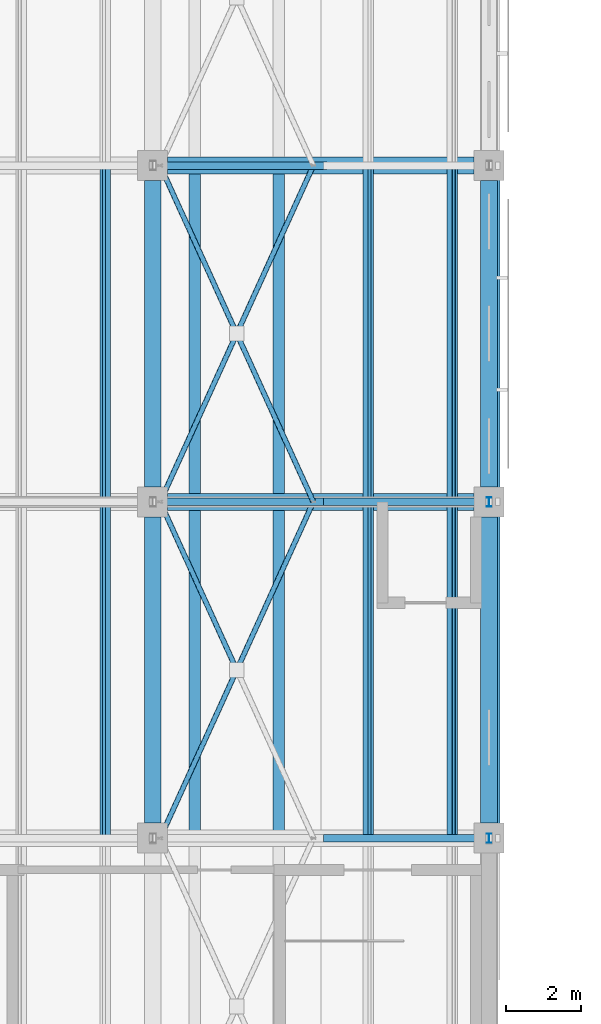
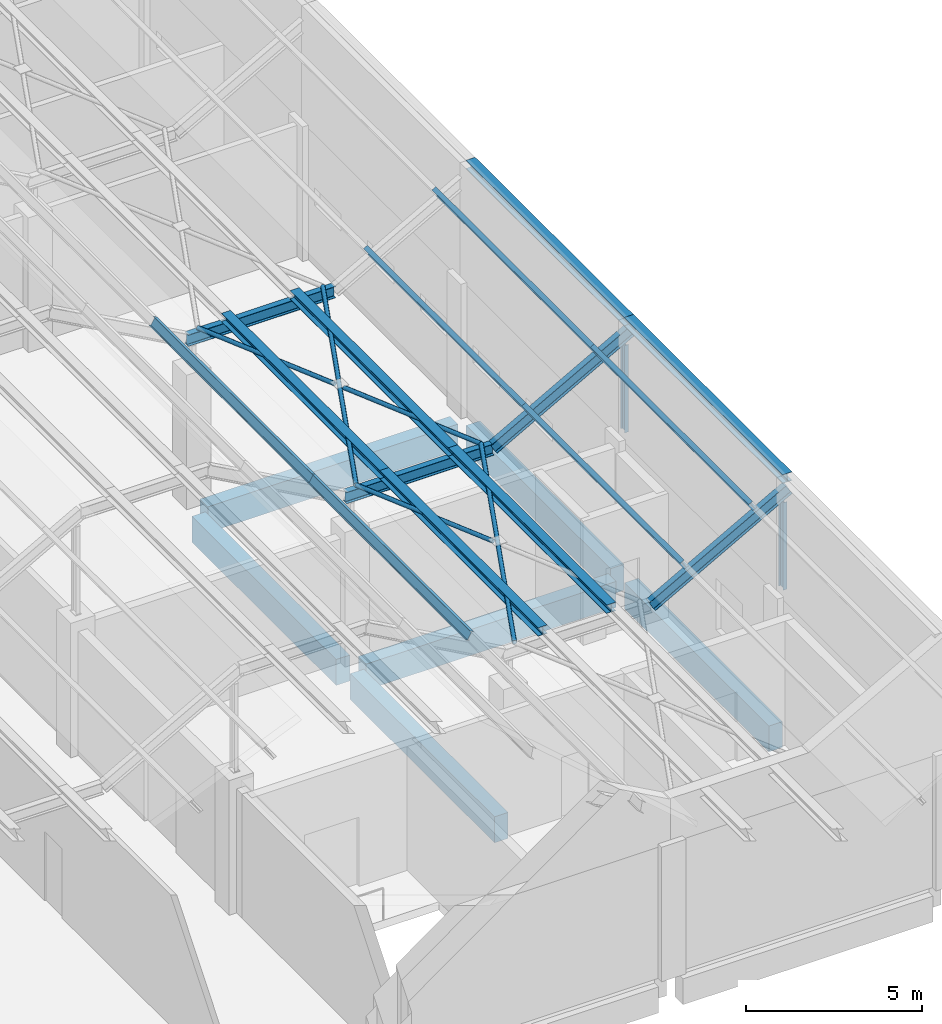
# One storey, part 42 of 437: 23 members, 6 beams.
"""IFC4 building model written with IfcOpenShell, lengths in metres."""

from ifc_helpers import new_model, si_unit, direction, frame, origin, origin_2d, place, context, subcontext, project, spatial, rectangle, hollow_circle, i_section, extrude, material, material_profile, profile_set, type_object, element, save


model = new_model("IFC4")

# Units and contexts
model_context = context("Model", 3, precision=1e-05, world=origin(), true_north=direction((0.0, 1.0)))
body_context = subcontext(model_context, "Body", "Model", "MODEL_VIEW")
ifc_project = project(units=[si_unit("LENGTHUNIT", "METRE"), si_unit("AREAUNIT", "SQUARE_METRE"), si_unit("VOLUMEUNIT", "CUBIC_METRE"), si_unit("PLANEANGLEUNIT", "RADIAN"), si_unit("MASSUNIT", "GRAM", prefix="KILO")], contexts=[model_context])

# Site, building, storey
site_placement = place(None, origin())
site = spatial("IfcSite", under=ifc_project, at=site_placement, CompositionType="ELEMENT")
building_placement = place(site_placement, origin())
building = spatial("IfcBuilding", under=site, at=building_placement, Name="Opaline Strait Convention Centre", CompositionType="ELEMENT")
storey_placement = place(building_placement, frame((0.0, 0.0, 11.5)))
storey = spatial("IfcBuildingStorey", under=building, at=storey_placement, Name="L02", CompositionType="ELEMENT", Elevation=11.5)

# Members
ifc_material_1 = material(Name="Steel Q355B", Category="steel")
ifc_material_profile_1 = material_profile(ifc_material_1, i_section(OverallWidth=0.300048828125, OverallDepth=0.300048828125, WebThickness=0.010009765625, FlangeThickness=0.014892578125, FilletRadius=0.012939453125, at=origin_2d()), Name="HW 300x300x10x15")
ifc_profile_set_1 = profile_set([ifc_material_profile_1], Name="Steel Q355B")
member_type_1 = type_object("IfcMemberType", Name="Crest purlin HW 300x300x10x15", PredefinedType="PURLIN", material=ifc_profile_set_1)
for number, where, z_axis, x_axis, name in (
    (1, (73.125, 18.0, 5.949951171875), (0.0, 1.0, 0.0), (-1.0, 0.0, 0.0), "RU1 purlin facet 15 line 1"),
    (2, (73.125, 27.0, 5.949951171875), (0.0, 1.0, 0.0), (-1.0, 0.0, 0.0), "RU1 purlin facet 15 line 1"),
    (3, (75.375, 18.0, 5.949951171875), (0.0, 1.0, 0.0), (-1.0, 0.0, 0.0), "RU1 purlin facet 15 line 2"),
    (4, (75.375, 27.0, 5.949951171875), (0.0, 1.0, 0.0), (-1.0, 0.0, 0.0), "RU1 purlin facet 15 line 2"),
    (5, (81.14990234375, 18.0, 8.449951171875), (0.0, 1.0, 0.0), (-1.0, 0.0, 0.0), "RU1 purlin facet 17 line 1"),
    (6, (81.14990234375, 27.0, 8.449951171875), (0.0, 1.0, 0.0), (-1.0, 0.0, 0.0), "RU1 purlin facet 17 line 1"),
):
    element("IfcMember", number, at=place(storey_placement, frame(where, z_axis=z_axis, x_axis=x_axis)), inside=storey, type_object=member_type_1, Name=name, PredefinedType="PURLIN", context=body_context, shape_type="SweptSolid", body=[
        extrude(i_section(OverallWidth=0.300048828125, OverallDepth=0.300048828125, WebThickness=0.010009765625, FlangeThickness=0.014892578125, FilletRadius=0.012939453125, at=origin_2d()), origin(), (0.0, 0.0, 1.0), 9.0),
    ])

# Beams
ifc_material_2 = material(Name="Concrete C35", Category="concrete")
ifc_material_profile_2 = material_profile(ifc_material_2, rectangle(XDim=0.449951171875, YDim=0.89990234375, at=origin_2d()), Name="RC 450x900")
ifc_profile_set_2 = profile_set([ifc_material_profile_2], Name="Concrete C35")
beam_type = type_object("IfcBeamType", Name="RC beam 450x900 C35", PredefinedType="BEAM", material=ifc_profile_set_2)
for number, where, z_axis, x_axis, name in (
    (7, (72.39990234375, 27.0, -0.72998046875), (1.0, 0.0, 0.0), (0.0, 1.0, 0.0), "XB1 L02 72/27-81/27"),
    (8, (72.39990234375, 36.0, -0.72998046875), (1.0, 0.0, 0.0), (0.0, 1.0, 0.0), "XB1 L02 72/36-81/36"),
    (9, (72.0, 18.39990234375, -0.72998046875), (0.0, 1.0, 0.0), (-1.0, 0.0, 0.0), "XB1 L02 72/18-72/27"),
    (10, (72.0, 27.39990234375, -0.72998046875), (0.0, 1.0, 0.0), (-1.0, 0.0, 0.0), "XB1 L02 72/27-72/36"),
    (11, (81.0, 18.39990234375, -0.72998046875), (0.0, 1.0, 0.0), (-1.0, 0.0, 0.0), "XB1 L02 81/18-81/27"),
    (12, (81.0, 27.39990234375, -0.72998046875), (0.0, 1.0, 0.0), (-1.0, 0.0, 0.0), "XB1 L02 81/27-81/36"),
):
    element("IfcBeam", number, at=place(storey_placement, frame(where, z_axis=z_axis, x_axis=x_axis)), inside=storey, type_object=beam_type, Name=name, PredefinedType="BEAM", context=body_context, shape_type="SweptSolid", body=[
        extrude(rectangle(XDim=0.449951171875, YDim=0.89990234375, at=origin_2d()), origin(), (0.0, 0.0, 1.0), 8.2001953125),
    ])

# Members
ifc_material_profile_3 = material_profile(ifc_material_1, hollow_circle(Radius=0.070068359375, WallThickness=0.0048828125, at=origin_2d()), Name="CHS 140x5")
ifc_profile_set_3 = profile_set([ifc_material_profile_3], Name="Steel Q355B")
member_type_2 = type_object("IfcMemberType", Name="Roof bracing CHS 140x5", PredefinedType="BRACE", material=ifc_profile_set_3)
member_1_placement = place(storey_placement, frame((72.199951171875, 18.0, 5.8701171875), z_axis=(0.414572789354, 0.910016154981, 0.0), x_axis=(-0.910016154981, 0.414572789354, 0.0)))
element("IfcMember", 13, at=member_1_placement, inside=storey, type_object=member_type_2, Name="RX1 roof brace bay 2 at 72", PredefinedType="BRACE", context=body_context, shape_type="SweptSolid", body=[
    extrude(hollow_circle(Radius=0.070068359375, WallThickness=0.0048828125, at=origin_2d()), origin(), (0.0, 0.0, 1.0), 9.889892578125),
])
member_2_placement = place(storey_placement, frame((74.185546875, 22.6416015625, 5.8701171875), z_axis=(-0.41458243593, 0.910011760264, 0.0), x_axis=(-0.910011760264, -0.41458243593, 0.0)))
element("IfcMember", 14, at=member_2_placement, inside=storey, type_object=member_type_2, Name="RX1 roof brace bay 2 at 72", PredefinedType="BRACE", context=body_context, shape_type="SweptSolid", body=[
    extrude(hollow_circle(Radius=0.070068359375, WallThickness=0.0048828125, at=origin_2d()), origin(), (0.0, 0.0, 1.0), 4.789306640625),
])
member_3_placement = place(storey_placement, frame((72.199951171875, 27.0, 5.8701171875), z_axis=(0.414572789354, 0.910016154981, 0.0), x_axis=(-0.910016154981, 0.414572789354, 0.0)))
element("IfcMember", 15, at=member_3_placement, inside=storey, type_object=member_type_2, Name="RX1 roof brace bay 3 at 72", PredefinedType="BRACE", context=body_context, shape_type="SweptSolid", body=[
    extrude(hollow_circle(Radius=0.070068359375, WallThickness=0.0048828125, at=origin_2d()), origin(), (0.0, 0.0, 1.0), 9.889892578125),
])
for number, where, z_axis, x_axis, name in (
    (16, (76.300048828125, 27.0, 5.8701171875), (-0.41458243593, 0.910011760264, 0.0), (-0.910011760264, -0.41458243593, 0.0), "RX1 roof brace bay 3 at 72"),
    (17, (74.185546875, 31.6416015625, 5.8701171875), (-0.41458243593, 0.910011760264, 0.0), (-0.910011760264, -0.41458243593, 0.0), "RX1 roof brace bay 3 at 72"),
):
    element("IfcMember", number, at=place(storey_placement, frame(where, z_axis=z_axis, x_axis=x_axis)), inside=storey, type_object=member_type_2, Name=name, PredefinedType="BRACE", context=body_context, shape_type="SweptSolid", body=[
        extrude(hollow_circle(Radius=0.070068359375, WallThickness=0.0048828125, at=origin_2d()), origin(), (0.0, 0.0, 1.0), 4.789306640625),
    ])
ifc_material_profile_4 = material_profile(ifc_material_1, i_section(OverallWidth=0.125, OverallDepth=0.25, WebThickness=0.006103515625, FlangeThickness=0.009033203125, FilletRadius=0.008056640625, at=origin_2d()), Name="HN 250x125x6x9")
ifc_profile_set_4 = profile_set([ifc_material_profile_4], Name="Steel Q355B")
member_type_3 = type_object("IfcMemberType", Name="Roof post HN 250x125x6x9", PredefinedType="STRUT", material=ifc_profile_set_4)
for number, where, z_axis, x_axis, name in (
    (18, (81.0, 18.0, 4.68994140625), (0.0, 0.0, 1.0), (1.0, 0.0, 0.0), "RP1 roof post at 81/18"),
    (19, (81.0, 27.0, 4.68994140625), (0.0, 0.0, 1.0), (1.0, 0.0, 0.0), "RP1 roof post at 81/27"),
):
    element("IfcMember", number, at=place(storey_placement, frame(where, z_axis=z_axis, x_axis=x_axis)), inside=storey, type_object=member_type_3, Name=name, PredefinedType="STRUT", context=body_context, shape_type="SweptSolid", body=[
        extrude(i_section(OverallWidth=0.125, OverallDepth=0.25, WebThickness=0.006103515625, FlangeThickness=0.009033203125, FilletRadius=0.008056640625, at=origin_2d()), origin(), (0.0, 0.0, 1.0), 3.031005859375),
    ])
ifc_material_profile_5 = material_profile(ifc_material_1, i_section(OverallWidth=0.14990234375, OverallDepth=0.300048828125, WebThickness=0.006591796875, FlangeThickness=0.009033203125, FilletRadius=0.012939453125, at=origin_2d()), Name="HN 300x150x6.5x9")
ifc_profile_set_5 = profile_set([ifc_material_profile_5], Name="Steel Q355B")
member_type_4 = type_object("IfcMemberType", Name="Roof purlin HN 300x150x6.5x9", PredefinedType="PURLIN", material=ifc_profile_set_5)
for number, where, z_axis, x_axis, name in (
    (20, (70.729248046875, 18.0, 6.61279296875), (0.0, 1.0, 0.0), (-0.874157310866, 0.0, 0.485642868639), "RU1 purlin facet 14 line 2"),
    (21, (70.729248046875, 27.0, 6.61279296875), (0.0, 1.0, 0.0), (-0.874157310866, 0.0, 0.485642868639), "RU1 purlin facet 14 line 2"),
    (22, (77.770751953125, 18.0, 6.61279296875), (0.0, 1.0, 0.0), (-0.874157310866, 0.0, -0.485642868639), "RU1 purlin facet 16 line 1"),
    (23, (77.770751953125, 27.0, 6.61279296875), (0.0, 1.0, 0.0), (-0.874157310866, 0.0, -0.485642868639), "RU1 purlin facet 16 line 1"),
    (24, (80.020751953125, 18.0, 7.86279296875), (0.0, 1.0, 0.0), (-0.874157310866, 0.0, -0.485642868639), "RU1 purlin facet 16 line 2"),
    (25, (80.020751953125, 27.0, 7.86279296875), (0.0, 1.0, 0.0), (-0.874157310866, 0.0, -0.485642868639), "RU1 purlin facet 16 line 2"),
):
    element("IfcMember", number, at=place(storey_placement, frame(where, z_axis=z_axis, x_axis=x_axis)), inside=storey, type_object=member_type_4, Name=name, PredefinedType="PURLIN", context=body_context, shape_type="SweptSolid", body=[
        extrude(i_section(OverallWidth=0.14990234375, OverallDepth=0.300048828125, WebThickness=0.006591796875, FlangeThickness=0.009033203125, FilletRadius=0.012939453125, at=origin_2d()), origin(), (0.0, 0.0, 1.0), 9.0),
    ])
ifc_material_profile_6 = material_profile(ifc_material_1, i_section(OverallWidth=0.199951171875, OverallDepth=0.39990234375, WebThickness=0.008056640625, FlangeThickness=0.012939453125, FilletRadius=0.012939453125, at=origin_2d()), Name="HN 400x200x8x13")
ifc_profile_set_6 = profile_set([ifc_material_profile_6], Name="Steel Q355B")
member_type_5 = type_object("IfcMemberType", Name="Roof rafter HN 400x200x8x13", PredefinedType="RAFTER", material=ifc_profile_set_6)
member_4_placement = place(storey_placement, frame((76.66845703125, 18.0, 5.60009765625), z_axis=(0.874157276122, 0.0, 0.485642931179), x_axis=(0.0, 1.0, 0.0)))
element("IfcMember", 26, at=member_4_placement, inside=storey, type_object=member_type_5, Name="RR1 rafter line 2 facet 17", PredefinedType="RAFTER", context=body_context, shape_type="SweptSolid", body=[
    extrude(i_section(OverallWidth=0.199951171875, OverallDepth=0.39990234375, WebThickness=0.008056640625, FlangeThickness=0.012939453125, FilletRadius=0.012939453125, at=origin_2d()), origin(), (0.0, 0.0, 1.0), 5.147705078125),
])
member_5_placement = place(storey_placement, frame((71.83154296875, 27.0, 5.60009765625), z_axis=(1.0, 0.0, 0.0), x_axis=(0.0, 1.0, 0.0)))
element("IfcMember", 27, at=member_5_placement, inside=storey, type_object=member_type_5, Name="RR1 rafter line 3 facet 16", PredefinedType="RAFTER", context=body_context, shape_type="SweptSolid", body=[
    extrude(i_section(OverallWidth=0.199951171875, OverallDepth=0.39990234375, WebThickness=0.008056640625, FlangeThickness=0.012939453125, FilletRadius=0.012939453125, at=origin_2d()), origin(), (0.0, 0.0, 1.0), 4.8369140625),
])
member_6_placement = place(storey_placement, frame((76.66845703125, 27.0, 5.60009765625), z_axis=(0.874157276122, 0.0, 0.485642931179), x_axis=(0.0, 1.0, 0.0)))
element("IfcMember", 28, at=member_6_placement, inside=storey, type_object=member_type_5, Name="RR1 rafter line 3 facet 17", PredefinedType="RAFTER", context=body_context, shape_type="SweptSolid", body=[
    extrude(i_section(OverallWidth=0.199951171875, OverallDepth=0.39990234375, WebThickness=0.008056640625, FlangeThickness=0.012939453125, FilletRadius=0.012939453125, at=origin_2d()), origin(), (0.0, 0.0, 1.0), 5.147705078125),
])
member_7_placement = place(storey_placement, frame((71.83154296875, 36.0, 5.60009765625), z_axis=(1.0, 0.0, 0.0), x_axis=(0.0, 1.0, 0.0)))
element("IfcMember", 29, at=member_7_placement, inside=storey, type_object=member_type_5, Name="RR1 rafter line 4 facet 16", PredefinedType="RAFTER", context=body_context, shape_type="SweptSolid", body=[
    extrude(i_section(OverallWidth=0.199951171875, OverallDepth=0.39990234375, WebThickness=0.008056640625, FlangeThickness=0.012939453125, FilletRadius=0.012939453125, at=origin_2d()), origin(), (0.0, 0.0, 1.0), 4.8369140625),
])

save(model, "model.ifc")
